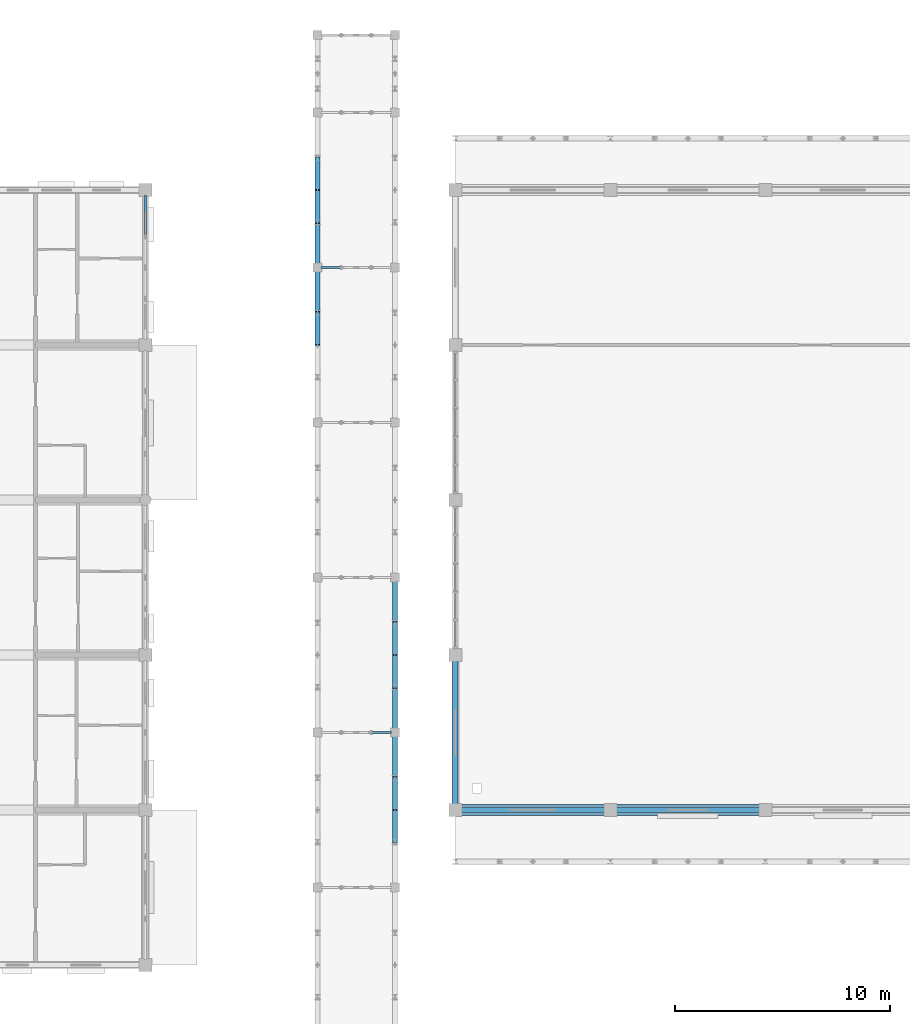
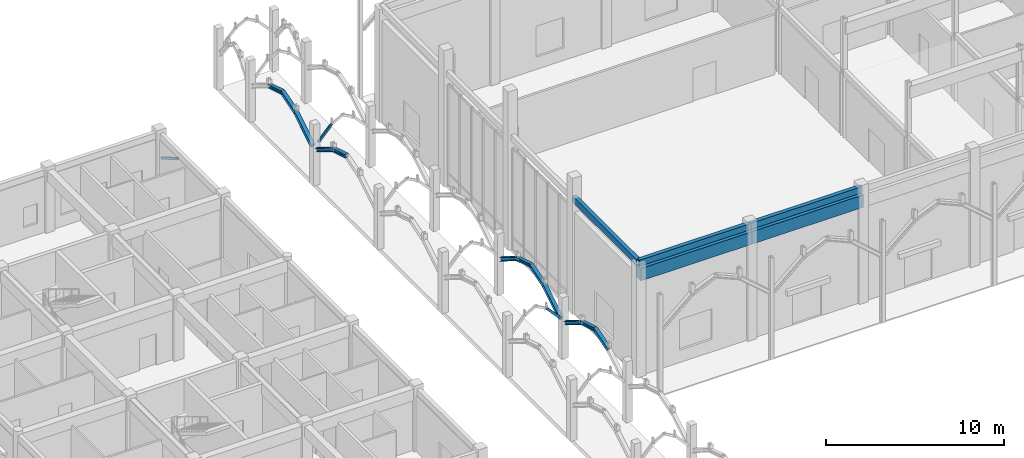
# One storey, part 22 of 138: 15 members, 5 beams.
"""IFC4 building model written with IfcOpenShell, lengths in metres."""

from ifc_helpers import new_model, si_unit, direction, frame, origin, origin_2d, place, context, subcontext, project, spatial, rectangle, hollow_rectangle, i_section, extrude, material, material_profile, profile_set, type_object, element, save


model = new_model("IFC4")

# Units and contexts
model_context = context("Model", 3, precision=1e-05, world=origin(), true_north=direction((0.0, 1.0)))
body_context = subcontext(model_context, "Body", "Model", "MODEL_VIEW")
ifc_project = project(units=[si_unit("LENGTHUNIT", "METRE"), si_unit("AREAUNIT", "SQUARE_METRE"), si_unit("VOLUMEUNIT", "CUBIC_METRE"), si_unit("PLANEANGLEUNIT", "RADIAN"), si_unit("MASSUNIT", "GRAM", prefix="KILO"), si_unit("THERMODYNAMICTEMPERATUREUNIT", "KELVIN"), si_unit("POWERUNIT", "WATT")], contexts=[model_context])

# Site, building, storey
site_placement = place(None, origin())
site = spatial("IfcSite", under=ifc_project, at=site_placement, CompositionType="ELEMENT")
building_placement = place(site_placement, origin())
building = spatial("IfcBuilding", under=site, at=building_placement, Name="Tavuni Mirador Residences", CompositionType="ELEMENT")
storey_placement = place(building_placement, origin())
storey = spatial("IfcBuildingStorey", under=building, at=storey_placement, Name="L00", CompositionType="ELEMENT", Elevation=0.0)

# Beams
ifc_material_1 = material(Name="Precast concrete C40/50", Category="concrete")
ifc_material_profile_1 = material_profile(ifc_material_1, rectangle(XDim=0.5, YDim=0.85009765625, at=origin_2d()), Name="RC 500x850", Category="concrete")
ifc_profile_set_1 = profile_set([ifc_material_profile_1], Name="Precast concrete C40/50")
beam_type_1 = type_object("IfcBeamType", Name="BT-G850", PredefinedType="USERDEFINED", material=ifc_profile_set_1)
for number, where, z_axis, x_axis, name in (
    (1, (39.60009765625, 72.0, 6.949951171875), (1.0, 0.0, 0.0), (0.0, 1.0, 0.0), "HALL-RING-S-01"),
    (2, (46.800048828125, 72.0, 6.949951171875), (1.0, 0.0, 0.0), (0.0, 1.0, 0.0), "HALL-RING-S-02"),
):
    element("IfcBeam", number, at=place(storey_placement, frame(where, z_axis=z_axis, x_axis=x_axis)), inside=storey, type_object=beam_type_1, Name=name, ObjectType="GIRDER", PredefinedType="USERDEFINED", context=body_context, shape_type="SweptSolid", body=[
        extrude(rectangle(XDim=0.5, YDim=0.85009765625, at=origin_2d()), origin(), (0.0, 0.0, 1.0), 7.199951171875),
    ])
ifc_material_profile_2 = material_profile(ifc_material_1, rectangle(XDim=0.25, YDim=0.419921875, at=origin_2d()), Name="PC 250x420", Category="concrete")
ifc_profile_set_2 = profile_set([ifc_material_profile_2], Name="Precast concrete C40/50")
beam_type_2 = type_object("IfcBeamType", Name="BT-SP420", PredefinedType="SPANDREL", material=ifc_profile_set_2)
for number, where, z_axis, x_axis, name in (
    (3, (39.60009765625, 72.0, 7.659912109375), (1.0, 0.0, 0.0), (0.0, 1.0, 0.0), "BMX-PAV-HALL-L00-00-00"),
    (4, (46.800048828125, 72.0, 7.659912109375), (1.0, 0.0, 0.0), (0.0, 1.0, 0.0), "BMX-PAV-HALL-L00-01-00"),
    (5, (39.60009765625, 72.0, 7.659912109375), (0.0, 1.0, 0.0), (-1.0, 0.0, 0.0), "BMY-PAV-HALL-L00-00-00"),
):
    element("IfcBeam", number, at=place(storey_placement, frame(where, z_axis=z_axis, x_axis=x_axis)), inside=storey, type_object=beam_type_2, Name=name, PredefinedType="SPANDREL", context=body_context, shape_type="SweptSolid", body=[
        extrude(rectangle(XDim=0.25, YDim=0.419921875, at=origin_2d()), origin(), (0.0, 0.0, 1.0), 7.199951171875),
    ])

# Members
ifc_material_2 = material(Name="Structural steel S355", Category="steel")
ifc_material_profile_3 = material_profile(ifc_material_2, hollow_rectangle(XDim=0.10009765625, YDim=0.14990234375, WallThickness=0.008056640625, at=origin_2d()), Name="RHS 150x100x8.0", Category="steel")
ifc_profile_set_3 = profile_set([ifc_material_profile_3], Name="Structural steel S355")
member_type_1 = type_object("IfcMemberType", Name="MT-BR-RHS150", PredefinedType="BRACE", material=ifc_profile_set_3)
for number, where, z_axis, x_axis, name in (
    (6, (35.69970703125, 75.60009765625, 3.70751953125), (0.680966584085, 0.0, -0.732314489383), (0.0, 1.0, 0.0), "ARCH-COLO-T-03-H2"),
    (7, (33.409912109375, 97.199951171875, 2.75), (0.680966584085, 0.0, 0.732314489383), (0.0, 1.0, 0.0), "ARCH-COLO-T-06-H1"),
):
    element("IfcMember", number, at=place(storey_placement, frame(where, z_axis=z_axis, x_axis=x_axis)), inside=storey, type_object=member_type_1, Name=name, PredefinedType="BRACE", context=body_context, shape_type="SweptSolid", body=[
        extrude(hollow_rectangle(XDim=0.10009765625, YDim=0.14990234375, WallThickness=0.008056640625, at=origin_2d()), origin(), (0.0, 0.0, 1.0), 1.3076171875),
    ])
member_1_placement = place(storey_placement, frame((25.199951171875, 98.652099609375, 3.6298828125), z_axis=(0.0, 0.863393885315, -0.504530473609), x_axis=(-1.0, 0.0, 0.0)))
element("IfcMember", 8, at=member_1_placement, inside=storey, type_object=member_type_1, Name="ARCH-BLKB-E-04-H2", PredefinedType="BRACE", context=body_context, shape_type="SweptSolid", body=[
    extrude(hollow_rectangle(XDim=0.10009765625, YDim=0.14990234375, WallThickness=0.008056640625, at=origin_2d()), origin(), (0.0, 0.0, 1.0), 2.140380859375),
])
ifc_material_profile_4 = material_profile(ifc_material_2, i_section(OverallWidth=0.239990234375, OverallDepth=0.22998046875, WebThickness=0.007568359375, FlangeThickness=0.011962890625, FilletRadius=0.02099609375, at=origin_2d()), Name="HEA 240", Category="steel")
ifc_profile_set_4 = profile_set([ifc_material_profile_4], Name="Structural steel S355")
member_type_2 = type_object("IfcMemberType", Name="MT-CH-HEA240", PredefinedType="CHORD", material=ifc_profile_set_4)
for number, where, z_axis, x_axis, name in (
    (9, (36.800048828125, 70.50830078125, 3.62353515625), (0.0, 0.95621783268, 0.292655866958), (-1.0, 0.0, 0.0), "ARCH-COLO-E-02-S1"),
    (10, (36.800048828125, 72.0, 4.080078125), (0.0, 0.95621783268, -0.292655866958), (-1.0, 0.0, 0.0), "ARCH-COLO-E-02-S2"),
):
    element("IfcMember", number, at=place(storey_placement, frame(where, z_axis=z_axis, x_axis=x_axis)), inside=storey, type_object=member_type_2, Name=name, PredefinedType="CHORD", context=body_context, shape_type="SweptSolid", body=[
        extrude(i_section(OverallWidth=0.239990234375, OverallDepth=0.22998046875, WebThickness=0.007568359375, FlangeThickness=0.011962890625, FilletRadius=0.02099609375, at=origin_2d()), origin(), (0.0, 0.0, 1.0), 1.56005859375),
    ])
member_2_placement = place(storey_placement, frame((36.800048828125, 73.49169921875, 3.62353515625), z_axis=(0.0, 0.850563431317, -0.525872464867), x_axis=(-1.0, 0.0, 0.0)))
element("IfcMember", 11, at=member_2_placement, inside=storey, type_object=member_type_2, Name="ARCH-COLO-E-02-H2", PredefinedType="CHORD", context=body_context, shape_type="SweptSolid", body=[
    extrude(i_section(OverallWidth=0.239990234375, OverallDepth=0.22998046875, WebThickness=0.007568359375, FlangeThickness=0.011962890625, FilletRadius=0.02099609375, at=origin_2d()), origin(), (0.0, 0.0, 1.0), 2.231689453125),
])
member_3_placement = place(storey_placement, frame((36.800048828125, 75.81005859375, 2.449951171875), z_axis=(0.0, 0.850593680007, 0.525823536496), x_axis=(-1.0, 0.0, 0.0)))
element("IfcMember", 12, at=member_3_placement, inside=storey, type_object=member_type_2, Name="ARCH-COLO-E-03-H1", PredefinedType="CHORD", context=body_context, shape_type="SweptSolid", body=[
    extrude(i_section(OverallWidth=0.239990234375, OverallDepth=0.22998046875, WebThickness=0.007568359375, FlangeThickness=0.011962890625, FilletRadius=0.02099609375, at=origin_2d()), origin(), (0.0, 0.0, 1.0), 2.23193359375),
])
member_4_placement = place(storey_placement, frame((36.800048828125, 77.70849609375, 3.62353515625), z_axis=(0.0, 0.956204425804, 0.292699668727), x_axis=(-1.0, 0.0, 0.0)))
element("IfcMember", 13, at=member_4_placement, inside=storey, type_object=member_type_2, Name="ARCH-COLO-E-03-S1", PredefinedType="CHORD", context=body_context, shape_type="SweptSolid", body=[
    extrude(i_section(OverallWidth=0.239990234375, OverallDepth=0.22998046875, WebThickness=0.007568359375, FlangeThickness=0.011962890625, FilletRadius=0.02099609375, at=origin_2d()), origin(), (0.0, 0.0, 1.0), 1.559814453125),
])
member_5_placement = place(storey_placement, frame((36.800048828125, 79.199951171875, 4.080078125), z_axis=(0.0, 0.95621783268, -0.292655866958), x_axis=(-1.0, 0.0, 0.0)))
element("IfcMember", 14, at=member_5_placement, inside=storey, type_object=member_type_2, Name="ARCH-COLO-E-03-S2", PredefinedType="CHORD", context=body_context, shape_type="SweptSolid", body=[
    extrude(i_section(OverallWidth=0.239990234375, OverallDepth=0.22998046875, WebThickness=0.007568359375, FlangeThickness=0.011962890625, FilletRadius=0.02099609375, at=origin_2d()), origin(), (0.0, 0.0, 1.0), 1.56005859375),
])
member_6_placement = place(storey_placement, frame((36.800048828125, 80.691650390625, 3.62353515625), z_axis=(0.0, 0.850593680007, -0.525823536496), x_axis=(-1.0, 0.0, 0.0)))
element("IfcMember", 15, at=member_6_placement, inside=storey, type_object=member_type_2, Name="ARCH-COLO-E-03-H2", PredefinedType="CHORD", context=body_context, shape_type="SweptSolid", body=[
    extrude(i_section(OverallWidth=0.239990234375, OverallDepth=0.22998046875, WebThickness=0.007568359375, FlangeThickness=0.011962890625, FilletRadius=0.02099609375, at=origin_2d()), origin(), (0.0, 0.0, 1.0), 2.23193359375),
])
member_7_placement = place(storey_placement, frame((33.199951171875, 93.60009765625, 4.080078125), z_axis=(0.0, 0.956204425804, -0.292699668727), x_axis=(-1.0, 0.0, 0.0)))
element("IfcMember", 16, at=member_7_placement, inside=storey, type_object=member_type_2, Name="ARCH-COLO-W-05-S2", PredefinedType="CHORD", context=body_context, shape_type="SweptSolid", body=[
    extrude(i_section(OverallWidth=0.239990234375, OverallDepth=0.22998046875, WebThickness=0.007568359375, FlangeThickness=0.011962890625, FilletRadius=0.02099609375, at=origin_2d()), origin(), (0.0, 0.0, 1.0), 1.559814453125),
])
for number, where, z_axis, x_axis, name in (
    (17, (33.199951171875, 95.091552734375, 3.62353515625), (0.0, 0.850593680007, -0.525823536496), (-1.0, 0.0, 0.0), "ARCH-COLO-W-05-H2"),
    (18, (33.199951171875, 97.409912109375, 2.449951171875), (0.0, 0.850593680007, 0.525823536496), (-1.0, 0.0, 0.0), "ARCH-COLO-W-06-H1"),
):
    element("IfcMember", number, at=place(storey_placement, frame(where, z_axis=z_axis, x_axis=x_axis)), inside=storey, type_object=member_type_2, Name=name, PredefinedType="CHORD", context=body_context, shape_type="SweptSolid", body=[
        extrude(i_section(OverallWidth=0.239990234375, OverallDepth=0.22998046875, WebThickness=0.007568359375, FlangeThickness=0.011962890625, FilletRadius=0.02099609375, at=origin_2d()), origin(), (0.0, 0.0, 1.0), 2.23193359375),
    ])
member_8_placement = place(storey_placement, frame((33.199951171875, 99.308349609375, 3.62353515625), z_axis=(0.0, 0.95621783268, 0.292655866958), x_axis=(-1.0, 0.0, 0.0)))
element("IfcMember", 19, at=member_8_placement, inside=storey, type_object=member_type_2, Name="ARCH-COLO-W-06-S1", PredefinedType="CHORD", context=body_context, shape_type="SweptSolid", body=[
    extrude(i_section(OverallWidth=0.239990234375, OverallDepth=0.22998046875, WebThickness=0.007568359375, FlangeThickness=0.011962890625, FilletRadius=0.02099609375, at=origin_2d()), origin(), (0.0, 0.0, 1.0), 1.56005859375),
])
member_9_placement = place(storey_placement, frame((33.199951171875, 100.800048828125, 4.080078125), z_axis=(0.0, 0.956204425804, -0.292699668727), x_axis=(-1.0, 0.0, 0.0)))
element("IfcMember", 20, at=member_9_placement, inside=storey, type_object=member_type_2, Name="ARCH-COLO-W-06-S2", PredefinedType="CHORD", context=body_context, shape_type="SweptSolid", body=[
    extrude(i_section(OverallWidth=0.239990234375, OverallDepth=0.22998046875, WebThickness=0.007568359375, FlangeThickness=0.011962890625, FilletRadius=0.02099609375, at=origin_2d()), origin(), (0.0, 0.0, 1.0), 1.559814453125),
])

save(model, "model.ifc")
